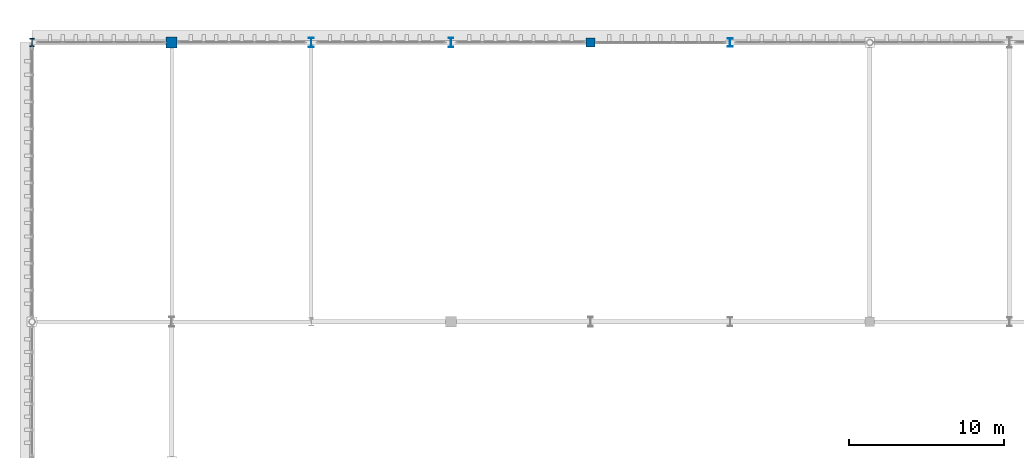
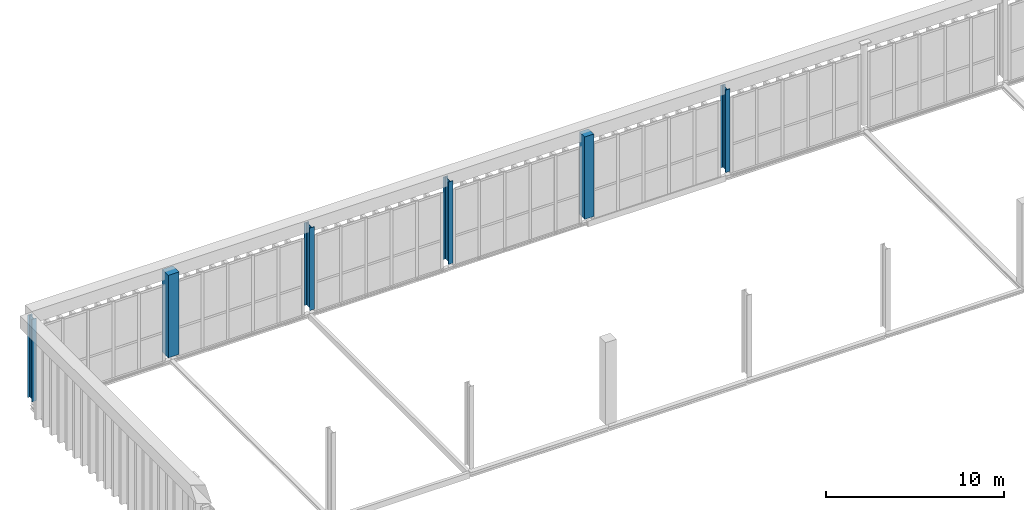
# One storey, part 22 of 237: 6 columns.
"""IFC4 building model written with IfcOpenShell, lengths in metres."""

from ifc_helpers import new_model, si_unit, direction, frame, origin, origin_2d, place, context, subcontext, project, spatial, rectangle, i_section, extrude, material, material_profile, profile_set, type_object, element, save


model = new_model("IFC4")

# Units and contexts
model_context = context("Model", 3, precision=1e-05, world=origin(), true_north=direction((0.0, 1.0)))
body_context = subcontext(model_context, "Body", "Model", "MODEL_VIEW")
ifc_project = project(units=[si_unit("LENGTHUNIT", "METRE"), si_unit("AREAUNIT", "SQUARE_METRE"), si_unit("VOLUMEUNIT", "CUBIC_METRE"), si_unit("PLANEANGLEUNIT", "RADIAN"), si_unit("MASSUNIT", "GRAM", prefix="KILO")], contexts=[model_context])

# Site, building, storey
site_placement = place(None, origin())
site = spatial("IfcSite", under=ifc_project, at=site_placement, CompositionType="ELEMENT")
building_placement = place(site_placement, origin())
building = spatial("IfcBuilding", under=site, at=building_placement, Name="Barlavento Convention Centre", CompositionType="ELEMENT")
storey_placement = place(building_placement, frame((0.0, 0.0, 12.0)))
storey = spatial("IfcBuildingStorey", under=building, at=storey_placement, Name="L02", CompositionType="ELEMENT", Elevation=12.0)

# Columns
ifc_material_1 = material(Name="Steel S355", Category="steel")
ifc_material_profile_1 = material_profile(ifc_material_1, i_section(OverallWidth=0.300048828125, OverallDepth=0.60009765625, WebThickness=0.015380859375, FlangeThickness=0.030029296875, FilletRadius=0.027099609375, at=origin_2d()), Name="HEB 600")
ifc_profile_set_1 = profile_set([ifc_material_profile_1], Name="Steel S355")
column_type_1 = type_object("IfcColumnType", Name="STR-COL-HEB600", PredefinedType="COLUMN", material=ifc_profile_set_1)
column_1_placement = place(storey_placement, frame((27.0, 135.0, 0.0), z_axis=(0.0, 0.0, 1.0), x_axis=(1.0, 0.0, 0.0)))
element("IfcColumn", 1, at=column_1_placement, inside=storey, type_object=column_type_1, Name="L02 column SC08", PredefinedType="COLUMN", context=body_context, shape_type="SweptSolid", body=[
    extrude(i_section(OverallWidth=0.300048828125, OverallDepth=0.60009765625, WebThickness=0.015380859375, FlangeThickness=0.030029296875, FilletRadius=0.027099609375, at=origin_2d()), origin(), (0.0, 0.0, 1.0), 5.655029296875),
])
ifc_material_profile_2 = material_profile(ifc_material_1, i_section(OverallWidth=0.305908203125, OverallDepth=0.52392578125, WebThickness=0.02099609375, FlangeThickness=0.0400390625, FilletRadius=0.027099609375, at=origin_2d()), Name="HEM 500")
ifc_profile_set_2 = profile_set([ifc_material_profile_2], Name="Steel S355")
column_type_2 = type_object("IfcColumnType", Name="STR-COL-HEM500", PredefinedType="COLUMN", material=ifc_profile_set_2)
column_2_placement = place(storey_placement, frame((0.0, 135.0, 0.0), z_axis=(0.0, 0.0, 1.0), x_axis=(1.0, 0.0, 0.0)))
element("IfcColumn", 2, at=column_2_placement, inside=storey, type_object=column_type_2, Name="L02 column SC07", PredefinedType="COLUMN", context=body_context, shape_type="SweptSolid", body=[
    extrude(i_section(OverallWidth=0.305908203125, OverallDepth=0.52392578125, WebThickness=0.02099609375, FlangeThickness=0.0400390625, FilletRadius=0.027099609375, at=origin_2d()), origin(), (0.0, 0.0, 1.0), 5.655029296875),
])
ifc_material_profile_3 = material_profile(ifc_material_1, i_section(OverallWidth=0.305908203125, OverallDepth=0.572021484375, WebThickness=0.02099609375, FlangeThickness=0.0400390625, FilletRadius=0.027099609375, at=origin_2d()), Name="HEM 550")
ifc_profile_set_3 = profile_set([ifc_material_profile_3], Name="Steel S355")
column_type_3 = type_object("IfcColumnType", Name="STR-COL-HEM550", PredefinedType="COLUMN", material=ifc_profile_set_3)
column_3_placement = place(storey_placement, frame((45.0, 135.0, 0.0), z_axis=(0.0, 0.0, 1.0), x_axis=(1.0, 0.0, 0.0)))
element("IfcColumn", 3, at=column_3_placement, inside=storey, type_object=column_type_3, Name="L02 column SC06", PredefinedType="COLUMN", context=body_context, shape_type="SweptSolid", body=[
    extrude(i_section(OverallWidth=0.305908203125, OverallDepth=0.572021484375, WebThickness=0.02099609375, FlangeThickness=0.0400390625, FilletRadius=0.027099609375, at=origin_2d()), origin(), (0.0, 0.0, 1.0), 5.655029296875),
])
ifc_material_profile_4 = material_profile(ifc_material_1, i_section(OverallWidth=0.304931640625, OverallDepth=0.6201171875, WebThickness=0.02099609375, FlangeThickness=0.0400390625, FilletRadius=0.027099609375, at=origin_2d()), Name="HEM 600")
ifc_profile_set_4 = profile_set([ifc_material_profile_4], Name="Steel S355")
column_type_4 = type_object("IfcColumnType", Name="STR-COL-HEM600", PredefinedType="COLUMN", material=ifc_profile_set_4)
column_4_placement = place(storey_placement, frame((18.0, 135.0, 0.0), z_axis=(0.0, 0.0, 1.0), x_axis=(1.0, 0.0, 0.0)))
element("IfcColumn", 4, at=column_4_placement, inside=storey, type_object=column_type_4, Name="L02 column SC05", PredefinedType="COLUMN", context=body_context, shape_type="SweptSolid", body=[
    extrude(i_section(OverallWidth=0.304931640625, OverallDepth=0.6201171875, WebThickness=0.02099609375, FlangeThickness=0.0400390625, FilletRadius=0.027099609375, at=origin_2d()), origin(), (0.0, 0.0, 1.0), 5.655029296875),
])
ifc_material_2 = material(Name="Concrete C40/50", Category="concrete")
ifc_material_profile_5 = material_profile(ifc_material_2, rectangle(XDim=0.60009765625, YDim=0.60009765625, at=origin_2d()), Name="RC 600x600")
ifc_profile_set_5 = profile_set([ifc_material_profile_5], Name="Concrete C40/50")
column_type_5 = type_object("IfcColumnType", Name="STR-COL-RC600", PredefinedType="COLUMN", material=ifc_profile_set_5)
column_5_placement = place(storey_placement, frame((36.0, 135.0, 0.0), z_axis=(0.0, 0.0, 1.0), x_axis=(1.0, 0.0, 0.0)))
element("IfcColumn", 5, at=column_5_placement, inside=storey, type_object=column_type_5, Name="L02 column CC07", PredefinedType="COLUMN", context=body_context, shape_type="SweptSolid", body=[
    extrude(rectangle(XDim=0.60009765625, YDim=0.60009765625, at=origin_2d()), origin(), (0.0, 0.0, 1.0), 5.655029296875),
])
ifc_material_profile_6 = material_profile(ifc_material_2, rectangle(XDim=0.699951171875, YDim=0.699951171875, at=origin_2d()), Name="RC 700x700")
ifc_profile_set_6 = profile_set([ifc_material_profile_6], Name="Concrete C40/50")
column_type_6 = type_object("IfcColumnType", Name="STR-COL-RC700", PredefinedType="COLUMN", material=ifc_profile_set_6)
column_6_placement = place(storey_placement, frame((9.0, 135.0, 0.0), z_axis=(0.0, 0.0, 1.0), x_axis=(1.0, 0.0, 0.0)))
element("IfcColumn", 6, at=column_6_placement, inside=storey, type_object=column_type_6, Name="L02 column CC06", PredefinedType="COLUMN", context=body_context, shape_type="SweptSolid", body=[
    extrude(rectangle(XDim=0.699951171875, YDim=0.699951171875, at=origin_2d()), origin(), (0.0, 0.0, 1.0), 5.655029296875),
])

save(model, "model.ifc")
